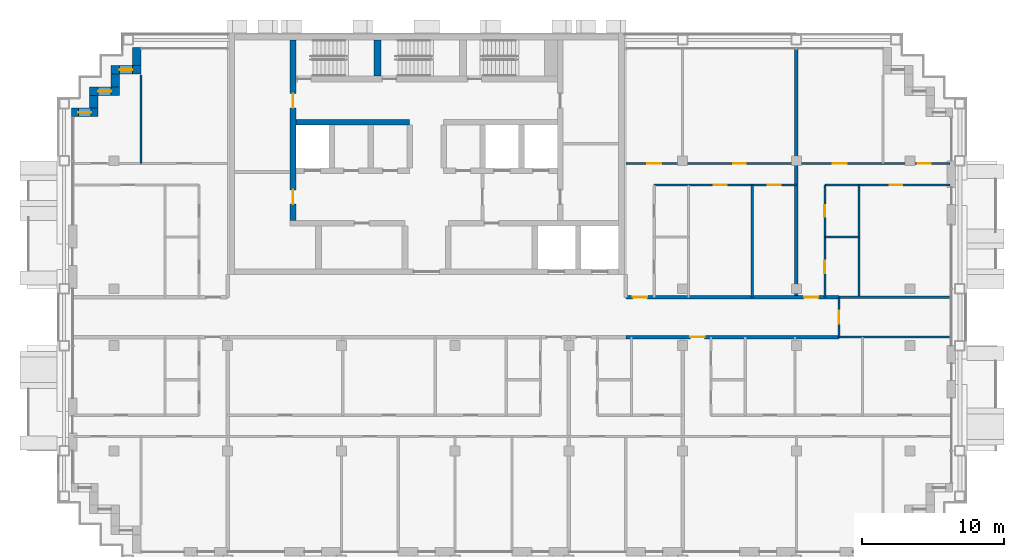
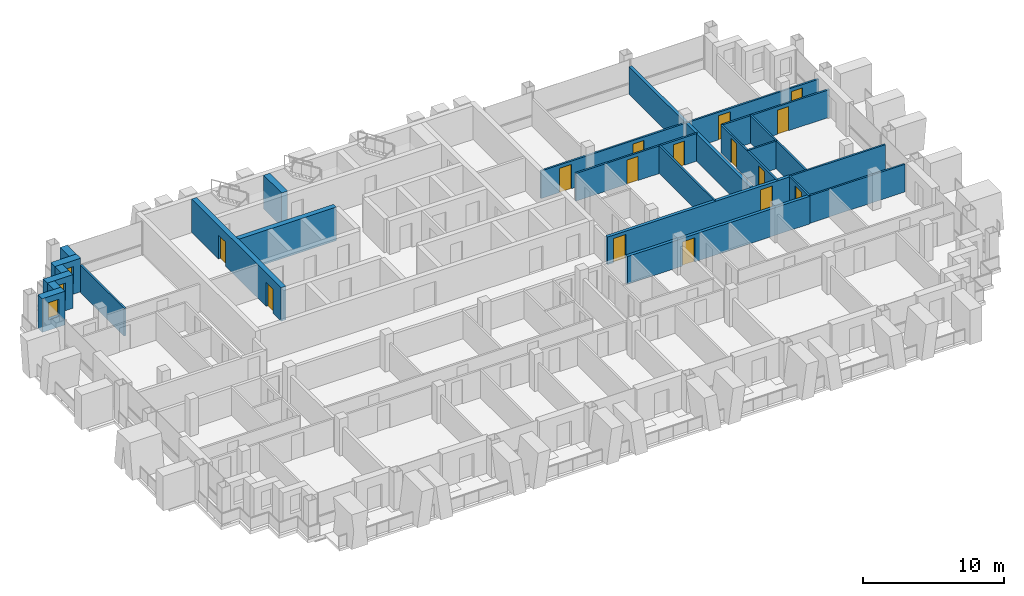
# One storey, part 11 of 16: 24 walls, 15 doors, 3 windows, 18 openings.
"""IFC4 building model written with IfcOpenShell, lengths in metres."""

from ifc_helpers import new_model, si_unit, direction, frame, frame_2d, origin, place, context, subcontext, project, spatial, rectangle, extrude, material, layer, layer_set, type_object, element, fill, save


model = new_model("IFC4")

# Units and contexts
model_context = context("Model", 3, precision=1e-05, world=origin(), true_north=direction((0.0, 1.0)))
body_context = subcontext(model_context, "Body", "Model", "MODEL_VIEW")
ifc_project = project(units=[si_unit("LENGTHUNIT", "METRE"), si_unit("AREAUNIT", "SQUARE_METRE"), si_unit("VOLUMEUNIT", "CUBIC_METRE"), si_unit("PLANEANGLEUNIT", "RADIAN"), si_unit("MASSUNIT", "GRAM", prefix="KILO")], contexts=[model_context])

# Site, building, storey
site_placement = place(None, origin())
site = spatial("IfcSite", under=ifc_project, at=site_placement, CompositionType="ELEMENT")
building_placement = place(site_placement, origin())
building = spatial("IfcBuilding", under=site, at=building_placement, Name="Vidyagriha Tower", CompositionType="ELEMENT")
storey_placement = place(building_placement, frame((0.0, 0.0, 187.699951171875)))
storey = spatial("IfcBuildingStorey", under=building, at=storey_placement, Name="L49", CompositionType="ELEMENT", Elevation=187.699951171875)

# Wall
ifc_material_1 = material(Name="Precast concrete C40/50 with brick facing", Category="concrete")
ifc_layer_1 = layer(ifc_material_1, 0.60009765625)
ifc_layer_set_1 = layer_set([ifc_layer_1], Name="Precast concrete C40/50 with brick facing")
wall_type_1 = type_object("IfcWallType", Name="Brick-faced precast wall 600", PredefinedType="STANDARD", material=ifc_layer_set_1)
wall_1_placement = place(storey_placement, frame((-20.39990234375, 18.97998046875, 0.0), z_axis=(0.0, 0.0, 1.0), x_axis=(0.0, -1.0, 0.0)))
element("IfcWall", 1, at=wall_1_placement, inside=storey, type_object=wall_type_1, Name="Stepped corner wall L49 R10", PredefinedType="STANDARD", context=body_context, shape_type="SweptSolid", body=[
    extrude(rectangle(XDim=1.280029296875, YDim=0.60009765625, at=frame_2d((0.64013671875, 0.0))), origin(), (0.0, 0.0, 1.0), 2.920166015625),
])

# Wall, opening, window
wall_2_placement = place(storey_placement, frame((-20.10009765625, 17.39990234375, 0.0), z_axis=(0.0, 0.0, 1.0), x_axis=(-1.0, 0.0, 0.0)))
wall_2 = element("IfcWall", 2, at=wall_2_placement, inside=storey, type_object=wall_type_1, Name="Stepped corner wall L49 R11", PredefinedType="STANDARD", context=body_context, shape_type="SweptSolid", body=[
    extrude(rectangle(XDim=2.099853515625, YDim=0.60009765625, at=frame_2d((1.0498046875, 0.0))), origin(), (0.0, 0.0, 1.0), 2.920166015625),
])
opening_1_placement = place(wall_2_placement, frame((0.60009765625, 0.0, 0.89990234375)))
opening_1 = element("IfcOpeningElement", 3, at=opening_1_placement, cuts=wall_2, Name="Opening WN1", PredefinedType="OPENING", context=body_context, shape_type="SweptSolid", body=[
    extrude(rectangle(XDim=0.89990234375, YDim=1.5, at=frame_2d((0.449951171875, 0.75))), frame((0.0, 0.31005859375, 0.0), z_axis=(0.0, -1.0, 0.0), x_axis=(1.0, 0.0, 0.0)), (0.0, 0.0, 1.0), 0.6201171875),
])
ifc_material_2 = material(Name="Aluminium and glass window", Category="aluminium")
window_type = type_object("IfcWindowType", Name="Reveal window 900x1500", PartitioningType="NOTDEFINED", PredefinedType="WINDOW", material=ifc_material_2)
window_1_placement = place(opening_1_placement, origin())
window_1 = element("IfcWindow", 4, at=window_1_placement, inside=storey, type_object=window_type, Name="Reveal window L49 R11", OverallHeight=1.5, OverallWidth=0.89990234375, PartitioningType="SINGLE_PANEL", PredefinedType="WINDOW", context=body_context, shape_type="SweptSolid", body=[
    extrude(rectangle(XDim=0.89990234375, YDim=1.5, at=frame_2d((0.449951171875, 0.75))), frame((0.0, 0.030029296875, 0.0), z_axis=(0.0, -1.0, 0.0), x_axis=(1.0, 0.0, 0.0)), (0.0, 0.0, 1.0), 0.06005859375),
])
fill(opening_1, window_1)

# Wall
wall_3_placement = place(storey_placement, frame((-21.89990234375, 17.10009765625, 0.0), z_axis=(0.0, 0.0, 1.0), x_axis=(0.0, -1.0, 0.0)))
element("IfcWall", 5, at=wall_3_placement, inside=storey, type_object=wall_type_1, Name="Stepped corner wall L49 R12", PredefinedType="STANDARD", context=body_context, shape_type="SweptSolid", body=[
    extrude(rectangle(XDim=0.900146484375, YDim=0.60009765625, at=frame_2d((0.4501953125, 0.0))), origin(), (0.0, 0.0, 1.0), 2.920166015625),
])

# Wall, opening, window
wall_4_placement = place(storey_placement, frame((-21.60009765625, 15.89990234375, 0.0), z_axis=(0.0, 0.0, 1.0), x_axis=(-1.0, 0.0, 0.0)))
wall_4 = element("IfcWall", 6, at=wall_4_placement, inside=storey, type_object=wall_type_1, Name="Stepped corner wall L49 R13", PredefinedType="STANDARD", context=body_context, shape_type="SweptSolid", body=[
    extrude(rectangle(XDim=2.099853515625, YDim=0.60009765625, at=frame_2d((1.0498046875, 0.0))), origin(), (0.0, 0.0, 1.0), 2.920166015625),
])
opening_2_placement = place(wall_4_placement, frame((0.60009765625, 0.0, 0.89990234375)))
opening_2 = element("IfcOpeningElement", 7, at=opening_2_placement, cuts=wall_4, Name="Opening WN1", PredefinedType="OPENING", context=body_context, shape_type="SweptSolid", body=[
    extrude(rectangle(XDim=0.89990234375, YDim=1.5, at=frame_2d((0.449951171875, 0.75))), frame((0.0, 0.31005859375, 0.0), z_axis=(0.0, -1.0, 0.0), x_axis=(1.0, 0.0, 0.0)), (0.0, 0.0, 1.0), 0.6201171875),
])
window_2_placement = place(opening_2_placement, origin())
window_2 = element("IfcWindow", 8, at=window_2_placement, inside=storey, type_object=window_type, Name="Reveal window L49 R13", OverallHeight=1.5, OverallWidth=0.89990234375, PartitioningType="SINGLE_PANEL", PredefinedType="WINDOW", context=body_context, shape_type="SweptSolid", body=[
    extrude(rectangle(XDim=0.89990234375, YDim=1.5, at=frame_2d((0.449951171875, 0.75))), frame((0.0, 0.030029296875, 0.0), z_axis=(0.0, -1.0, 0.0), x_axis=(1.0, 0.0, 0.0)), (0.0, 0.0, 1.0), 0.06005859375),
])
fill(opening_2, window_2)

# Wall
wall_5_placement = place(storey_placement, frame((-23.39990234375, 15.60009765625, 0.0), z_axis=(0.0, 0.0, 1.0), x_axis=(0.0, -1.0, 0.0)))
element("IfcWall", 9, at=wall_5_placement, inside=storey, type_object=wall_type_1, Name="Stepped corner wall L49 R14", PredefinedType="STANDARD", context=body_context, shape_type="SweptSolid", body=[
    extrude(rectangle(XDim=0.900146484375, YDim=0.60009765625, at=frame_2d((0.4501953125, 0.0))), origin(), (0.0, 0.0, 1.0), 2.920166015625),
])

# Wall, opening, window
wall_6_placement = place(storey_placement, frame((-23.10009765625, 14.39990234375, 0.0), z_axis=(0.0, 0.0, 1.0), x_axis=(-1.0, 0.0, 0.0)))
wall_6 = element("IfcWall", 10, at=wall_6_placement, inside=storey, type_object=wall_type_1, Name="Stepped corner wall L49 R15", PredefinedType="STANDARD", context=body_context, shape_type="SweptSolid", body=[
    extrude(rectangle(XDim=1.8798828125, YDim=0.60009765625, at=frame_2d((0.93994140625, 0.0))), origin(), (0.0, 0.0, 1.0), 2.920166015625),
])
opening_3_placement = place(wall_6_placement, frame((0.489990234375, 0.0, 0.89990234375)))
opening_3 = element("IfcOpeningElement", 11, at=opening_3_placement, cuts=wall_6, Name="Opening WN1", PredefinedType="OPENING", context=body_context, shape_type="SweptSolid", body=[
    extrude(rectangle(XDim=0.89990234375, YDim=1.5, at=frame_2d((0.449951171875, 0.75))), frame((0.0, 0.31005859375, 0.0), z_axis=(0.0, -1.0, 0.0), x_axis=(1.0, 0.0, 0.0)), (0.0, 0.0, 1.0), 0.6201171875),
])
window_3_placement = place(opening_3_placement, origin())
window_3 = element("IfcWindow", 12, at=window_3_placement, inside=storey, type_object=window_type, Name="Reveal window L49 R15", OverallHeight=1.5, OverallWidth=0.89990234375, PartitioningType="SINGLE_PANEL", PredefinedType="WINDOW", context=body_context, shape_type="SweptSolid", body=[
    extrude(rectangle(XDim=0.89990234375, YDim=1.5, at=frame_2d((0.449951171875, 0.75))), frame((0.0, 0.030029296875, 0.0), z_axis=(0.0, -1.0, 0.0), x_axis=(1.0, 0.0, 0.0)), (0.0, 0.0, 1.0), 0.06005859375),
])
fill(opening_3, window_3)

# Wall, openings, doors
ifc_material_3 = material(Name="Concrete C60/75", Category="concrete")
ifc_layer_2 = layer(ifc_material_3, 0.39990234375)
ifc_layer_set_2 = layer_set([ifc_layer_2], Name="Concrete C60/75")
wall_type_2 = type_object("IfcWallType", Name="Core shear wall 400 mm", PredefinedType="SHEAR", material=ifc_layer_set_2)
wall_7_placement = place(storey_placement, frame((-9.39990234375, 6.800048828125, 0.0), z_axis=(0.0, 0.0, 1.0), x_axis=(0.0, 1.0, 0.0)))
wall_7 = element("IfcWall", 13, at=wall_7_placement, inside=storey, type_object=wall_type_2, Name="Core west spine wall", PredefinedType="SHEAR", context=body_context, shape_type="SweptSolid", body=[
    extrude(rectangle(XDim=12.699951171875, YDim=0.39990234375, at=frame_2d((6.35009765625, 0.0))), origin(), (0.0, 0.0, 1.0), 2.920166015625),
])
opening_4_placement = place(wall_7_placement, frame((1.14990234375, 0.0, 0.0)))
opening_4 = element("IfcOpeningElement", 14, at=opening_4_placement, cuts=wall_7, Name="Opening D49-11", PredefinedType="OPENING", context=body_context, shape_type="SweptSolid", body=[
    extrude(rectangle(XDim=1.0, YDim=2.10009765625, at=frame_2d((0.5, 1.050048828125))), frame((0.0, 0.2099609375, 0.0), z_axis=(0.0, -1.0, 0.0), x_axis=(1.0, 0.0, 0.0)), (0.0, 0.0, 1.0), 0.419921875),
])
opening_5_placement = place(wall_7_placement, frame((7.925048828125, 0.0, 0.0)))
opening_5 = element("IfcOpeningElement", 15, at=opening_5_placement, cuts=wall_7, Name="Opening D49-12", PredefinedType="OPENING", context=body_context, shape_type="SweptSolid", body=[
    extrude(rectangle(XDim=1.0, YDim=2.10009765625, at=frame_2d((0.5, 1.050048828125))), frame((0.0, 0.2099609375, 0.0), z_axis=(0.0, -1.0, 0.0), x_axis=(1.0, 0.0, 0.0)), (0.0, 0.0, 1.0), 0.419921875),
])
ifc_material_4 = material(Name="Hollow metal door leaf")
door_type_1 = type_object("IfcDoorType", Name="Core room door 1000 x 2100 mm EI 60", OperationType="NOTDEFINED", PredefinedType="DOOR", material=ifc_material_4)
door_1_placement = place(opening_4_placement, frame((1.0, 0.0, 0.0), z_axis=(0.0, 0.0, 1.0), x_axis=(-1.0, 0.0, 0.0)))
door_1 = element("IfcDoor", 16, at=door_1_placement, inside=storey, type_object=door_type_1, Name="Door Switchgear Room 49.W1", OperationType="SINGLE_SWING_RIGHT", OverallHeight=2.10009765625, OverallWidth=1.0, PredefinedType="DOOR", context=body_context, shape_type="SweptSolid", body=[
    extrude(rectangle(XDim=1.0, YDim=2.10009765625, at=frame_2d((0.5, 1.050048828125))), frame((0.0, 0.02490234375, 0.0), z_axis=(0.0, -1.0, 0.0), x_axis=(1.0, 0.0, 0.0)), (0.0, 0.0, 1.0), 0.050048828125),
])
fill(opening_4, door_1)
door_2_placement = place(opening_5_placement, frame((1.0, 0.0, 0.0), z_axis=(0.0, 0.0, 1.0), x_axis=(-1.0, 0.0, 0.0)))
door_2 = element("IfcDoor", 17, at=door_2_placement, inside=storey, type_object=door_type_1, Name="Door Electrical Room 49.W2", OperationType="SINGLE_SWING_LEFT", OverallHeight=2.10009765625, OverallWidth=1.0, PredefinedType="DOOR", context=body_context, shape_type="SweptSolid", body=[
    extrude(rectangle(XDim=1.0, YDim=2.10009765625, at=frame_2d((0.5, 1.050048828125))), frame((0.0, 0.02490234375, 0.0), z_axis=(0.0, -1.0, 0.0), x_axis=(1.0, 0.0, 0.0)), (0.0, 0.0, 1.0), 0.050048828125),
])
fill(opening_5, door_2)

# Walls
wall_8_placement = place(storey_placement, frame((-9.199951171875, 13.699951171875, 0.0)))
element("IfcWall", 18, at=wall_8_placement, inside=storey, type_object=wall_type_2, Name="Core row N rear wall", PredefinedType="SHEAR", context=body_context, shape_type="SweptSolid", body=[
    extrude(rectangle(XDim=8.0, YDim=0.39990234375, at=frame_2d((4.0, 0.0))), origin(), (0.0, 0.0, 1.0), 2.920166015625),
])
ifc_material_5 = material(Name="Concrete C60/75", Category="concrete")
ifc_layer_3 = layer(ifc_material_5, 0.5)
ifc_layer_set_3 = layer_set([ifc_layer_3], Name="Concrete C60/75")
wall_type_3 = type_object("IfcWallType", Name="Core shear wall 500 mm", PredefinedType="SHEAR", material=ifc_layer_set_3)
wall_9_placement = place(storey_placement, frame((-3.449951171875, 16.949951171875, 0.0), z_axis=(0.0, 0.0, 1.0), x_axis=(0.0, 1.0, 0.0)))
element("IfcWall", 19, at=wall_9_placement, inside=storey, type_object=wall_type_3, Name="Stair partition wall 1", PredefinedType="SHEAR", context=body_context, shape_type="SweptSolid", body=[
    extrude(rectangle(XDim=2.550048828125, YDim=0.5, at=frame_2d((1.27490234375, 0.0))), origin(), (0.0, 0.0, 1.0), 2.920166015625),
])

# Wall, opening, door
ifc_material_6 = material(Name="Fired clay brick masonry", Category="masonry")
ifc_layer_4 = layer(ifc_material_6, 0.25)
ifc_layer_set_4 = layer_set([ifc_layer_4], Name="Fired clay brick masonry")
wall_type_4 = type_object("IfcWallType", Name="Fired clay brick corridor wall 250", PredefinedType="PARTITIONING", material=ifc_layer_set_4)
wall_10_placement = place(storey_placement, frame((29.0, -1.39990234375, 0.0), z_axis=(0.0, 0.0, 1.0), x_axis=(-1.0, 0.0, 0.0)))
wall_10 = element("IfcWall", 20, at=wall_10_placement, inside=storey, type_object=wall_type_4, Name="Wall all-L49-w069", PredefinedType="PARTITIONING", context=body_context, shape_type="SweptSolid", body=[
    extrude(rectangle(XDim=15.0, YDim=0.25, at=frame_2d((7.5, 0.0))), origin(), (0.0, 0.0, 1.0), 2.400146484375),
])
opening_6_placement = place(wall_10_placement, frame((9.452880859375, 0.0, 0.0)))
opening_6 = element("IfcOpeningElement", 21, at=opening_6_placement, cuts=wall_10, Name="Opening D49-46", PredefinedType="OPENING", context=body_context, shape_type="SweptSolid", body=[
    extrude(rectangle(XDim=1.0, YDim=2.10009765625, at=frame_2d((0.5, 1.050048828125))), frame((0.0, 0.135009765625, 0.0), z_axis=(0.0, -1.0, 0.0), x_axis=(1.0, 0.0, 0.0)), (0.0, 0.0, 1.0), 0.27001953125),
])
ifc_material_7 = material(Name="Fire-rated timber door leaf EI 60", Category="wood")
door_type_2 = type_object("IfcDoorType", Name="Flat entrance fire door 1000x2100", OperationType="NOTDEFINED", PredefinedType="DOOR", material=ifc_material_7)
door_3_placement = place(opening_6_placement, origin())
door_3 = element("IfcDoor", 22, at=door_3_placement, inside=storey, type_object=door_type_2, Name="Door D49-46", OperationType="SINGLE_SWING_RIGHT", OverallHeight=2.10009765625, OverallWidth=1.0, PredefinedType="DOOR", context=body_context, shape_type="SweptSolid", body=[
    extrude(rectangle(XDim=1.0, YDim=2.10009765625, at=frame_2d((0.5, 1.050048828125))), frame((0.0, 0.02490234375, 0.0), z_axis=(0.0, -1.0, 0.0), x_axis=(1.0, 0.0, 0.0)), (0.0, 0.0, 1.0), 0.050048828125),
])
fill(opening_6, door_3)

# Wall, openings, doors
wall_11_placement = place(storey_placement, frame((14.0, 1.39990234375, 0.0)))
wall_11 = element("IfcWall", 23, at=wall_11_placement, inside=storey, type_object=wall_type_4, Name="Wall all-L49-w111", PredefinedType="PARTITIONING", context=body_context, shape_type="SweptSolid", body=[
    extrude(rectangle(XDim=15.0, YDim=0.25, at=frame_2d((7.5, 0.0))), origin(), (0.0, 0.0, 1.0), 2.400146484375),
])
opening_7_placement = place(wall_11_placement, frame((0.5, 0.0, 0.0)))
opening_7 = element("IfcOpeningElement", 24, at=opening_7_placement, cuts=wall_11, Name="Opening D49-59", PredefinedType="OPENING", context=body_context, shape_type="SweptSolid", body=[
    extrude(rectangle(XDim=1.0, YDim=2.10009765625, at=frame_2d((0.5, 1.050048828125))), frame((0.0, 0.135009765625, 0.0), z_axis=(0.0, -1.0, 0.0), x_axis=(1.0, 0.0, 0.0)), (0.0, 0.0, 1.0), 0.27001953125),
])
opening_8_placement = place(wall_11_placement, frame((12.547119140625, 0.0, 0.0)))
opening_8 = element("IfcOpeningElement", 25, at=opening_8_placement, cuts=wall_11, Name="Opening D49-65", PredefinedType="OPENING", context=body_context, shape_type="SweptSolid", body=[
    extrude(rectangle(XDim=1.0, YDim=2.10009765625, at=frame_2d((0.5, 1.050048828125))), frame((0.0, 0.135009765625, 0.0), z_axis=(0.0, -1.0, 0.0), x_axis=(1.0, 0.0, 0.0)), (0.0, 0.0, 1.0), 0.27001953125),
])
door_4_placement = place(opening_7_placement, origin())
door_4 = element("IfcDoor", 26, at=door_4_placement, inside=storey, type_object=door_type_2, Name="Door D49-59", OperationType="SINGLE_SWING_LEFT", OverallHeight=2.10009765625, OverallWidth=1.0, PredefinedType="DOOR", context=body_context, shape_type="SweptSolid", body=[
    extrude(rectangle(XDim=1.0, YDim=2.10009765625, at=frame_2d((0.5, 1.050048828125))), frame((0.0, 0.02490234375, 0.0), z_axis=(0.0, -1.0, 0.0), x_axis=(1.0, 0.0, 0.0)), (0.0, 0.0, 1.0), 0.050048828125),
])
fill(opening_7, door_4)
door_5_placement = place(opening_8_placement, origin())
door_5 = element("IfcDoor", 27, at=door_5_placement, inside=storey, type_object=door_type_2, Name="Door D49-65", OperationType="SINGLE_SWING_LEFT", OverallHeight=2.10009765625, OverallWidth=1.0, PredefinedType="DOOR", context=body_context, shape_type="SweptSolid", body=[
    extrude(rectangle(XDim=1.0, YDim=2.10009765625, at=frame_2d((0.5, 1.050048828125))), frame((0.0, 0.02490234375, 0.0), z_axis=(0.0, -1.0, 0.0), x_axis=(1.0, 0.0, 0.0)), (0.0, 0.0, 1.0), 0.050048828125),
])
fill(opening_8, door_5)

# Walls
ifc_material_8 = material(Name="Fired clay brick masonry", Category="masonry")
ifc_layer_5 = layer(ifc_material_8, 0.25)
ifc_layer_set_5 = layer_set([ifc_layer_5], Name="Fired clay brick masonry")
wall_type_5 = type_object("IfcWallType", Name="Fired clay brick demising wall 250", PredefinedType="PARTITIONING", material=ifc_layer_set_5)
wall_12_placement = place(storey_placement, frame((26.0, 18.821044921875, 0.0), z_axis=(0.0, 0.0, 1.0), x_axis=(0.0, -1.0, 0.0)))
element("IfcWall", 28, at=wall_12_placement, inside=storey, type_object=wall_type_5, Name="Wall all-L49-w110", PredefinedType="PARTITIONING", context=body_context, shape_type="SweptSolid", body=[
    extrude(rectangle(XDim=17.421142578125, YDim=0.25, at=frame_2d((8.71044921875, 0.0))), origin(), (0.0, 0.0, 1.0), 2.400146484375),
])
ifc_material_9 = material(Name="Gypsum board partition")
ifc_layer_6 = layer(ifc_material_9, 0.14990234375)
ifc_layer_set_6 = layer_set([ifc_layer_6], Name="Gypsum board partition")
wall_type_6 = type_object("IfcWallType", Name="Gypsum board partition 150", PredefinedType="PARTITIONING", material=ifc_layer_set_6)
wall_13_placement = place(storey_placement, frame((36.820068359375, -1.39990234375, 0.0), z_axis=(0.0, 0.0, 1.0), x_axis=(-1.0, 0.0, 0.0)))
element("IfcWall", 29, at=wall_13_placement, inside=storey, type_object=wall_type_6, Name="Wall all-L49-w070", PredefinedType="PARTITIONING", context=body_context, shape_type="SweptSolid", body=[
    extrude(rectangle(XDim=7.820068359375, YDim=0.14990234375, at=frame_2d((3.91015625, 0.0))), origin(), (0.0, 0.0, 1.0), 2.400146484375),
])
wall_14_placement = place(storey_placement, frame((-20.10009765625, 17.02001953125, 0.0), z_axis=(0.0, 0.0, 1.0), x_axis=(0.0, -1.0, 0.0)))
element("IfcWall", 30, at=wall_14_placement, inside=storey, type_object=wall_type_6, Name="Wall all-L49-w081", PredefinedType="PARTITIONING", context=body_context, shape_type="SweptSolid", body=[
    extrude(rectangle(XDim=6.219970703125, YDim=0.14990234375, at=frame_2d((3.10986328125, 0.0))), origin(), (0.0, 0.0, 1.0), 2.400146484375),
])
wall_15_placement = place(storey_placement, frame((22.89990234375, 9.300048828125, 0.0), z_axis=(0.0, 0.0, 1.0), x_axis=(0.0, -1.0, 0.0)))
element("IfcWall", 31, at=wall_15_placement, inside=storey, type_object=wall_type_6, Name="Wall all-L49-w089", PredefinedType="PARTITIONING", context=body_context, shape_type="SweptSolid", body=[
    extrude(rectangle(XDim=7.900146484375, YDim=0.14990234375, at=frame_2d((3.9501953125, 0.0))), origin(), (0.0, 0.0, 1.0), 2.400146484375),
])

# Wall, openings, doors
wall_16_placement = place(storey_placement, frame((26.0, 9.300048828125, 0.0), z_axis=(0.0, 0.0, 1.0), x_axis=(-1.0, 0.0, 0.0)))
wall_16 = element("IfcWall", 32, at=wall_16_placement, inside=storey, type_object=wall_type_6, Name="Wall all-L49-w090", PredefinedType="PARTITIONING", context=body_context, shape_type="SweptSolid", body=[
    extrude(rectangle(XDim=10.0, YDim=0.14990234375, at=frame_2d((5.0, 0.0))), origin(), (0.0, 0.0, 1.0), 2.400146484375),
])
opening_9_placement = place(wall_16_placement, frame((4.89990234375, 0.0, 0.0)))
opening_9 = element("IfcOpeningElement", 33, at=opening_9_placement, cuts=wall_16, Name="Opening D49-55", PredefinedType="OPENING", context=body_context, shape_type="SweptSolid", body=[
    extrude(rectangle(XDim=0.89990234375, YDim=2.10009765625, at=frame_2d((0.449951171875, 1.050048828125))), frame((0.0, 0.0849609375, 0.0), z_axis=(0.0, -1.0, 0.0), x_axis=(1.0, 0.0, 0.0)), (0.0, 0.0, 1.0), 0.169921875),
])
opening_10_placement = place(wall_16_placement, frame((1.10009765625, 0.0, 0.0)))
opening_10 = element("IfcOpeningElement", 34, at=opening_10_placement, cuts=wall_16, Name="Opening D49-56", PredefinedType="OPENING", context=body_context, shape_type="SweptSolid", body=[
    extrude(rectangle(XDim=0.89990234375, YDim=2.10009765625, at=frame_2d((0.449951171875, 1.050048828125))), frame((0.0, 0.0849609375, 0.0), z_axis=(0.0, -1.0, 0.0), x_axis=(1.0, 0.0, 0.0)), (0.0, 0.0, 1.0), 0.169921875),
])
ifc_material_10 = material(Name="Timber door leaf", Category="wood")
door_type_3 = type_object("IfcDoorType", Name="Room door 900x2100", OperationType="NOTDEFINED", PredefinedType="DOOR", material=ifc_material_10)
door_6_placement = place(opening_9_placement, origin())
door_6 = element("IfcDoor", 35, at=door_6_placement, inside=storey, type_object=door_type_3, Name="Door D49-55", OperationType="SINGLE_SWING_RIGHT", OverallHeight=2.10009765625, OverallWidth=0.89990234375, PredefinedType="DOOR", context=body_context, shape_type="SweptSolid", body=[
    extrude(rectangle(XDim=0.89990234375, YDim=2.10009765625, at=frame_2d((0.449951171875, 1.050048828125))), frame((0.0, 0.02490234375, 0.0), z_axis=(0.0, -1.0, 0.0), x_axis=(1.0, 0.0, 0.0)), (0.0, 0.0, 1.0), 0.050048828125),
])
fill(opening_9, door_6)
door_7_placement = place(opening_10_placement, origin())
door_7 = element("IfcDoor", 36, at=door_7_placement, inside=storey, type_object=door_type_3, Name="Door D49-56", OperationType="SINGLE_SWING_RIGHT", OverallHeight=2.10009765625, OverallWidth=0.89990234375, PredefinedType="DOOR", context=body_context, shape_type="SweptSolid", body=[
    extrude(rectangle(XDim=0.89990234375, YDim=2.10009765625, at=frame_2d((0.449951171875, 1.050048828125))), frame((0.0, 0.02490234375, 0.0), z_axis=(0.0, -1.0, 0.0), x_axis=(1.0, 0.0, 0.0)), (0.0, 0.0, 1.0), 0.050048828125),
])
fill(opening_10, door_7)

wall_17_placement = place(storey_placement, frame((14.0, 10.800048828125, 0.0)))
wall_17 = element("IfcWall", 37, at=wall_17_placement, inside=storey, type_object=wall_type_6, Name="Wall all-L49-w093", PredefinedType="PARTITIONING", context=body_context, shape_type="SweptSolid", body=[
    extrude(rectangle(XDim=12.0, YDim=0.14990234375, at=frame_2d((6.0, 0.0))), origin(), (0.0, 0.0, 1.0), 2.400146484375),
])
opening_11_placement = place(wall_17_placement, frame((1.5, 0.0, 0.0)))
opening_11 = element("IfcOpeningElement", 38, at=opening_11_placement, cuts=wall_17, Name="Opening D49-57", PredefinedType="OPENING", context=body_context, shape_type="SweptSolid", body=[
    extrude(rectangle(XDim=1.0, YDim=2.10009765625, at=frame_2d((0.5, 1.050048828125))), frame((0.0, 0.0849609375, 0.0), z_axis=(0.0, -1.0, 0.0), x_axis=(1.0, 0.0, 0.0)), (0.0, 0.0, 1.0), 0.169921875),
])
opening_12_placement = place(wall_17_placement, frame((7.550048828125, 0.0, 0.0)))
opening_12 = element("IfcOpeningElement", 39, at=opening_12_placement, cuts=wall_17, Name="Opening D49-58", PredefinedType="OPENING", context=body_context, shape_type="SweptSolid", body=[
    extrude(rectangle(XDim=0.89990234375, YDim=2.10009765625, at=frame_2d((0.449951171875, 1.050048828125))), frame((0.0, 0.0849609375, 0.0), z_axis=(0.0, -1.0, 0.0), x_axis=(1.0, 0.0, 0.0)), (0.0, 0.0, 1.0), 0.169921875),
])
ifc_material_11 = material(Name="Timber door leaf", Category="wood")
door_type_4 = type_object("IfcDoorType", Name="Room door 1000x2100", OperationType="NOTDEFINED", PredefinedType="DOOR", material=ifc_material_11)
door_8_placement = place(opening_11_placement, origin())
door_8 = element("IfcDoor", 40, at=door_8_placement, inside=storey, type_object=door_type_4, Name="Door D49-57", OperationType="SINGLE_SWING_RIGHT", OverallHeight=2.10009765625, OverallWidth=1.0, PredefinedType="DOOR", context=body_context, shape_type="SweptSolid", body=[
    extrude(rectangle(XDim=1.0, YDim=2.10009765625, at=frame_2d((0.5, 1.050048828125))), frame((0.0, 0.02490234375, 0.0), z_axis=(0.0, -1.0, 0.0), x_axis=(1.0, 0.0, 0.0)), (0.0, 0.0, 1.0), 0.050048828125),
])
fill(opening_11, door_8)
door_9_placement = place(opening_12_placement, origin())
door_9 = element("IfcDoor", 41, at=door_9_placement, inside=storey, type_object=door_type_3, Name="Door D49-58", OperationType="SINGLE_SWING_RIGHT", OverallHeight=2.10009765625, OverallWidth=0.89990234375, PredefinedType="DOOR", context=body_context, shape_type="SweptSolid", body=[
    extrude(rectangle(XDim=0.89990234375, YDim=2.10009765625, at=frame_2d((0.449951171875, 1.050048828125))), frame((0.0, 0.02490234375, 0.0), z_axis=(0.0, -1.0, 0.0), x_axis=(1.0, 0.0, 0.0)), (0.0, 0.0, 1.0), 0.050048828125),
])
fill(opening_12, door_9)

# Walls
wall_18_placement = place(storey_placement, frame((28.0, 5.64990234375, 0.0)))
element("IfcWall", 42, at=wall_18_placement, inside=storey, type_object=wall_type_6, Name="Wall all-L49-w101", PredefinedType="PARTITIONING", context=body_context, shape_type="SweptSolid", body=[
    extrude(rectangle(XDim=2.39990234375, YDim=0.14990234375, at=frame_2d((1.199951171875, 0.0))), origin(), (0.0, 0.0, 1.0), 2.400146484375),
])
wall_19_placement = place(storey_placement, frame((30.39990234375, 9.300048828125, 0.0), z_axis=(0.0, 0.0, 1.0), x_axis=(0.0, -1.0, 0.0)))
element("IfcWall", 43, at=wall_19_placement, inside=storey, type_object=wall_type_6, Name="Wall all-L49-w102", PredefinedType="PARTITIONING", context=body_context, shape_type="SweptSolid", body=[
    extrude(rectangle(XDim=7.900146484375, YDim=0.14990234375, at=frame_2d((3.9501953125, 0.0))), origin(), (0.0, 0.0, 1.0), 2.400146484375),
])

# Wall, opening, door
wall_20_placement = place(storey_placement, frame((36.81005859375, 9.300048828125, 0.0), z_axis=(0.0, 0.0, 1.0), x_axis=(-1.0, 0.0, 0.0)))
wall_20 = element("IfcWall", 44, at=wall_20_placement, inside=storey, type_object=wall_type_6, Name="Wall all-L49-w103", PredefinedType="PARTITIONING", context=body_context, shape_type="SweptSolid", body=[
    extrude(rectangle(XDim=8.81005859375, YDim=0.14990234375, at=frame_2d((4.405029296875, 0.0))), origin(), (0.0, 0.0, 1.0), 2.400146484375),
])
opening_13_placement = place(wall_20_placement, frame((3.35693359375, 0.0, 0.0)))
opening_13 = element("IfcOpeningElement", 45, at=opening_13_placement, cuts=wall_20, Name="Opening D49-62", PredefinedType="OPENING", context=body_context, shape_type="SweptSolid", body=[
    extrude(rectangle(XDim=0.89990234375, YDim=2.10009765625, at=frame_2d((0.449951171875, 1.050048828125))), frame((0.0, 0.0849609375, 0.0), z_axis=(0.0, -1.0, 0.0), x_axis=(1.0, 0.0, 0.0)), (0.0, 0.0, 1.0), 0.169921875),
])
door_10_placement = place(opening_13_placement, origin())
door_10 = element("IfcDoor", 46, at=door_10_placement, inside=storey, type_object=door_type_3, Name="Door D49-62", OperationType="SINGLE_SWING_RIGHT", OverallHeight=2.10009765625, OverallWidth=0.89990234375, PredefinedType="DOOR", context=body_context, shape_type="SweptSolid", body=[
    extrude(rectangle(XDim=0.89990234375, YDim=2.10009765625, at=frame_2d((0.449951171875, 1.050048828125))), frame((0.0, 0.02490234375, 0.0), z_axis=(0.0, -1.0, 0.0), x_axis=(1.0, 0.0, 0.0)), (0.0, 0.0, 1.0), 0.050048828125),
])
fill(opening_13, door_10)

# Wall, openings, doors
wall_21_placement = place(storey_placement, frame((26.0, 10.800048828125, 0.0)))
wall_21 = element("IfcWall", 47, at=wall_21_placement, inside=storey, type_object=wall_type_6, Name="Wall all-L49-w105", PredefinedType="PARTITIONING", context=body_context, shape_type="SweptSolid", body=[
    extrude(rectangle(XDim=10.81005859375, YDim=0.14990234375, at=frame_2d((5.405029296875, 0.0))), origin(), (0.0, 0.0, 1.0), 2.400146484375),
])
opening_14_placement = place(wall_21_placement, frame((2.550048828125, 0.0, 0.0)))
opening_14 = element("IfcOpeningElement", 48, at=opening_14_placement, cuts=wall_21, Name="Opening D49-63", PredefinedType="OPENING", context=body_context, shape_type="SweptSolid", body=[
    extrude(rectangle(XDim=1.0, YDim=2.10009765625, at=frame_2d((0.5, 1.050048828125))), frame((0.0, 0.0849609375, 0.0), z_axis=(0.0, -1.0, 0.0), x_axis=(1.0, 0.0, 0.0)), (0.0, 0.0, 1.0), 0.169921875),
])
opening_15_placement = place(wall_21_placement, frame((8.547119140625, 0.0, 0.0)))
opening_15 = element("IfcOpeningElement", 49, at=opening_15_placement, cuts=wall_21, Name="Opening D49-64", PredefinedType="OPENING", context=body_context, shape_type="SweptSolid", body=[
    extrude(rectangle(XDim=0.89990234375, YDim=2.10009765625, at=frame_2d((0.449951171875, 1.050048828125))), frame((0.0, 0.0849609375, 0.0), z_axis=(0.0, -1.0, 0.0), x_axis=(1.0, 0.0, 0.0)), (0.0, 0.0, 1.0), 0.169921875),
])
door_11_placement = place(opening_14_placement, origin())
door_11 = element("IfcDoor", 50, at=door_11_placement, inside=storey, type_object=door_type_4, Name="Door D49-63", OperationType="SINGLE_SWING_RIGHT", OverallHeight=2.10009765625, OverallWidth=1.0, PredefinedType="DOOR", context=body_context, shape_type="SweptSolid", body=[
    extrude(rectangle(XDim=1.0, YDim=2.10009765625, at=frame_2d((0.5, 1.050048828125))), frame((0.0, 0.02490234375, 0.0), z_axis=(0.0, -1.0, 0.0), x_axis=(1.0, 0.0, 0.0)), (0.0, 0.0, 1.0), 0.050048828125),
])
fill(opening_14, door_11)
door_12_placement = place(opening_15_placement, origin())
door_12 = element("IfcDoor", 51, at=door_12_placement, inside=storey, type_object=door_type_3, Name="Door D49-64", OperationType="SINGLE_SWING_RIGHT", OverallHeight=2.10009765625, OverallWidth=0.89990234375, PredefinedType="DOOR", context=body_context, shape_type="SweptSolid", body=[
    extrude(rectangle(XDim=0.89990234375, YDim=2.10009765625, at=frame_2d((0.449951171875, 1.050048828125))), frame((0.0, 0.02490234375, 0.0), z_axis=(0.0, -1.0, 0.0), x_axis=(1.0, 0.0, 0.0)), (0.0, 0.0, 1.0), 0.050048828125),
])
fill(opening_15, door_12)

# Wall
wall_22_placement = place(storey_placement, frame((29.0, 1.39990234375, 0.0)))
element("IfcWall", 52, at=wall_22_placement, inside=storey, type_object=wall_type_6, Name="Wall all-L49-w112", PredefinedType="PARTITIONING", context=body_context, shape_type="SweptSolid", body=[
    extrude(rectangle(XDim=7.820068359375, YDim=0.14990234375, at=frame_2d((3.91015625, 0.0))), origin(), (0.0, 0.0, 1.0), 2.400146484375),
])

# Wall, opening, door
wall_23_placement = place(storey_placement, frame((29.0, -1.39990234375, 0.0), z_axis=(0.0, 0.0, 1.0), x_axis=(0.0, 1.0, 0.0)))
wall_23 = element("IfcWall", 53, at=wall_23_placement, inside=storey, type_object=wall_type_6, Name="Wall all-L49-w113", PredefinedType="PARTITIONING", context=body_context, shape_type="SweptSolid", body=[
    extrude(rectangle(XDim=2.7998046875, YDim=0.14990234375, at=frame_2d((1.39990234375, 0.0))), origin(), (0.0, 0.0, 1.0), 2.400146484375),
])
opening_16_placement = place(wall_23_placement, frame((0.949951171875, 0.0, 0.0)))
opening_16 = element("IfcOpeningElement", 54, at=opening_16_placement, cuts=wall_23, Name="Opening D49-66", PredefinedType="OPENING", context=body_context, shape_type="SweptSolid", body=[
    extrude(rectangle(XDim=0.89990234375, YDim=2.10009765625, at=frame_2d((0.449951171875, 1.050048828125))), frame((0.0, 0.0849609375, 0.0), z_axis=(0.0, -1.0, 0.0), x_axis=(1.0, 0.0, 0.0)), (0.0, 0.0, 1.0), 0.169921875),
])
door_13_placement = place(opening_16_placement, origin())
door_13 = element("IfcDoor", 55, at=door_13_placement, inside=storey, type_object=door_type_3, Name="Door D49-66", OperationType="SINGLE_SWING_RIGHT", OverallHeight=2.10009765625, OverallWidth=0.89990234375, PredefinedType="DOOR", context=body_context, shape_type="SweptSolid", body=[
    extrude(rectangle(XDim=0.89990234375, YDim=2.10009765625, at=frame_2d((0.449951171875, 1.050048828125))), frame((0.0, 0.02490234375, 0.0), z_axis=(0.0, -1.0, 0.0), x_axis=(1.0, 0.0, 0.0)), (0.0, 0.0, 1.0), 0.050048828125),
])
fill(opening_16, door_13)

# Wall, openings, doors
ifc_material_12 = material(Name="Moisture resistant gypsum board partition")
ifc_layer_7 = layer(ifc_material_12, 0.14990234375)
ifc_layer_set_7 = layer_set([ifc_layer_7], Name="Moisture resistant gypsum board partition")
wall_type_7 = type_object("IfcWallType", Name="Gypsum board wet-area partition 150", PredefinedType="PARTITIONING", material=ifc_layer_set_7)
wall_24_placement = place(storey_placement, frame((28.0, 9.300048828125, 0.0), z_axis=(0.0, 0.0, 1.0), x_axis=(0.0, -1.0, 0.0)))
wall_24 = element("IfcWall", 56, at=wall_24_placement, inside=storey, type_object=wall_type_7, Name="Wall all-L49-w098", PredefinedType="PARTITIONING", context=body_context, shape_type="SweptSolid", body=[
    extrude(rectangle(XDim=7.900146484375, YDim=0.14990234375, at=frame_2d((3.9501953125, 0.0))), origin(), (0.0, 0.0, 1.0), 2.400146484375),
])
opening_17_placement = place(wall_24_placement, frame((5.324951171875, 0.0, 0.0)))
opening_17 = element("IfcOpeningElement", 57, at=opening_17_placement, cuts=wall_24, Name="Opening D49-60", PredefinedType="OPENING", context=body_context, shape_type="SweptSolid", body=[
    extrude(rectangle(XDim=0.89990234375, YDim=2.10009765625, at=frame_2d((0.449951171875, 1.050048828125))), frame((0.0, 0.0849609375, 0.0), z_axis=(0.0, -1.0, 0.0), x_axis=(1.0, 0.0, 0.0)), (0.0, 0.0, 1.0), 0.169921875),
])
opening_18_placement = place(wall_24_placement, frame((1.425048828125, 0.0, 0.0)))
opening_18 = element("IfcOpeningElement", 58, at=opening_18_placement, cuts=wall_24, Name="Opening D49-61", PredefinedType="OPENING", context=body_context, shape_type="SweptSolid", body=[
    extrude(rectangle(XDim=0.800048828125, YDim=2.10009765625, at=frame_2d((0.39990234375, 1.050048828125))), frame((0.0, 0.0849609375, 0.0), z_axis=(0.0, -1.0, 0.0), x_axis=(1.0, 0.0, 0.0)), (0.0, 0.0, 1.0), 0.169921875),
])
ifc_material_13 = material(Name="Timber door leaf", Category="wood")
door_type_5 = type_object("IfcDoorType", Name="Bathroom door 800x2100", OperationType="NOTDEFINED", PredefinedType="DOOR", material=ifc_material_13)
door_14_placement = place(opening_18_placement, origin())
door_14 = element("IfcDoor", 59, at=door_14_placement, inside=storey, type_object=door_type_5, Name="Door D49-61", OperationType="SINGLE_SWING_RIGHT", OverallHeight=2.10009765625, OverallWidth=0.800048828125, PredefinedType="DOOR", context=body_context, shape_type="SweptSolid", body=[
    extrude(rectangle(XDim=0.800048828125, YDim=2.10009765625, at=frame_2d((0.39990234375, 1.050048828125))), frame((0.0, 0.02490234375, 0.0), z_axis=(0.0, -1.0, 0.0), x_axis=(1.0, 0.0, 0.0)), (0.0, 0.0, 1.0), 0.050048828125),
])
fill(opening_18, door_14)
ifc_material_14 = material(Name="Timber door leaf", Category="wood")
door_type_6 = type_object("IfcDoorType", Name="Kitchen door 900x2100", OperationType="NOTDEFINED", PredefinedType="DOOR", material=ifc_material_14)
door_15_placement = place(opening_17_placement, origin())
door_15 = element("IfcDoor", 60, at=door_15_placement, inside=storey, type_object=door_type_6, Name="Door D49-60", OperationType="SINGLE_SWING_LEFT", OverallHeight=2.10009765625, OverallWidth=0.89990234375, PredefinedType="DOOR", context=body_context, shape_type="SweptSolid", body=[
    extrude(rectangle(XDim=0.89990234375, YDim=2.10009765625, at=frame_2d((0.449951171875, 1.050048828125))), frame((0.0, 0.02490234375, 0.0), z_axis=(0.0, -1.0, 0.0), x_axis=(1.0, 0.0, 0.0)), (0.0, 0.0, 1.0), 0.050048828125),
])
fill(opening_17, door_15)

save(model, "model.ifc")
